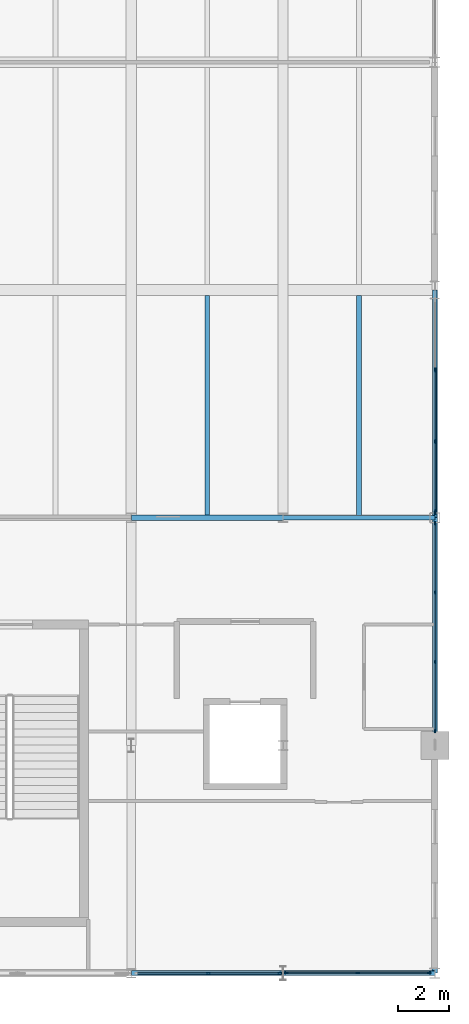
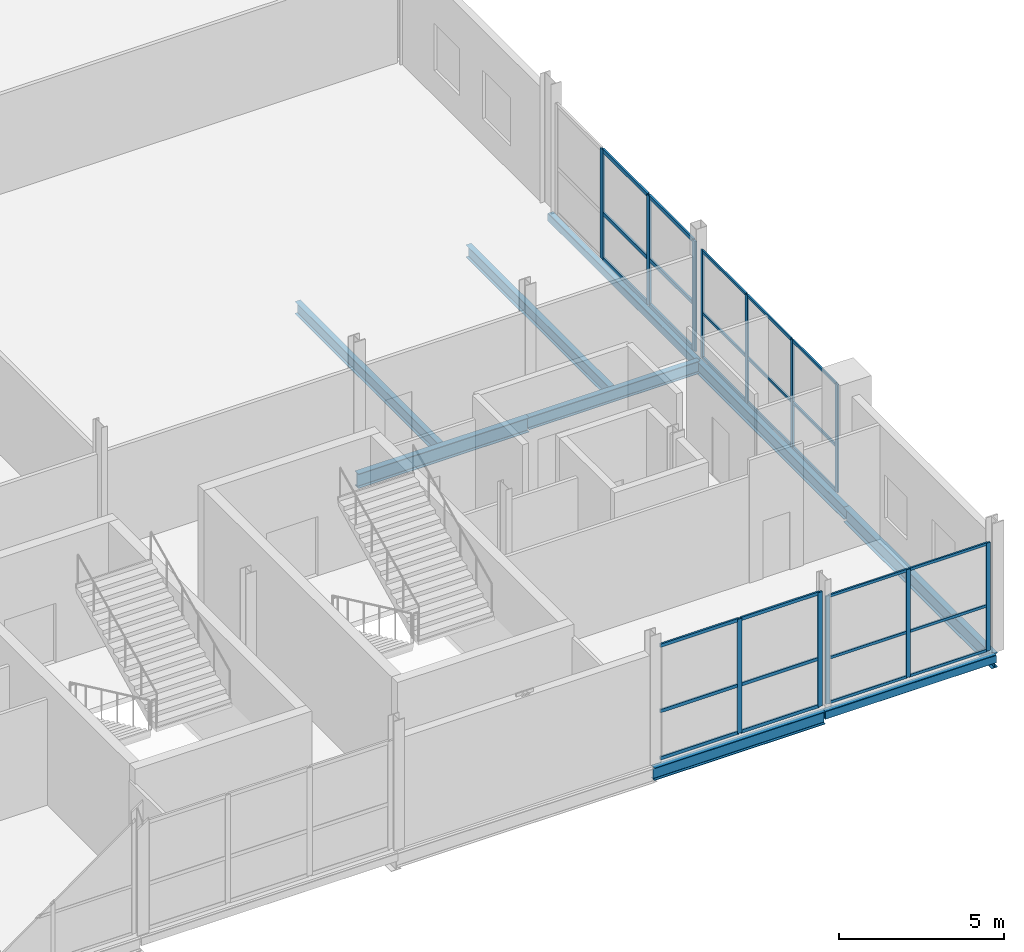
# One storey, part 15 of 50: 39 members, 9 beams, 4 elements without a shape of their own.
"""IFC4 building model written with IfcOpenShell, lengths in metres."""

from ifc_helpers import new_model, si_unit, direction, frame, origin, origin_2d, place, context, subcontext, project, spatial, rectangle, hollow_rectangle, i_section, extrude, material, layer, layer_set, material_profile, profile_set, type_object, element, aggregate, save


model = new_model("IFC4")

# Units and contexts
model_context = context("Model", 3, precision=1e-05, world=origin(), true_north=direction((0.0, 1.0)))
body_context = subcontext(model_context, "Body", "Model", "MODEL_VIEW")
ifc_project = project(units=[si_unit("LENGTHUNIT", "METRE"), si_unit("AREAUNIT", "SQUARE_METRE"), si_unit("VOLUMEUNIT", "CUBIC_METRE"), si_unit("PLANEANGLEUNIT", "RADIAN"), si_unit("MASSUNIT", "GRAM", prefix="KILO")], contexts=[model_context])

# Site, building, storey
site_placement = place(None, origin())
site = spatial("IfcSite", under=ifc_project, at=site_placement, CompositionType="ELEMENT")
building_placement = place(site_placement, origin())
building = spatial("IfcBuilding", under=site, at=building_placement, Name="Qamarlyn Nura Convention Centre", CompositionType="ELEMENT")
storey_placement = place(building_placement, frame((0.0, 0.0, 20.39990234375)))
storey = spatial("IfcBuildingStorey", under=building, at=storey_placement, Name="L04", CompositionType="ELEMENT", Elevation=20.39990234375)

# Beams
ifc_material_1 = material(Name="Steel ASTM A992", Category="steel")
ifc_material_profile_1 = material_profile(ifc_material_1, i_section(OverallWidth=0.18994140625, OverallDepth=0.45703125, WebThickness=0.009033203125, FlangeThickness=0.014404296875, FilletRadius=0.012939453125, at=origin_2d()), Name="W460X74")
ifc_profile_set_1 = profile_set([ifc_material_profile_1], Name="Steel ASTM A992")
beam_type_1 = type_object("IfcBeamType", Name="BM-JOIST-460", PredefinedType="JOIST", material=ifc_profile_set_1)
beam_1_placement = place(storey_placement, frame((183.0, 18.10546875, -0.428466796875), z_axis=(0.0, 1.0, 0.0), x_axis=(-1.0, 0.0, 0.0)))
element("IfcBeam", 1, at=beam_1_placement, inside=storey, type_object=beam_type_1, Name="L04 secondary joist 16-17/C-D-58", PredefinedType="JOIST", context=body_context, shape_type="SweptSolid", body=[
    extrude(i_section(OverallWidth=0.18994140625, OverallDepth=0.45703125, WebThickness=0.009033203125, FlangeThickness=0.014404296875, FilletRadius=0.012939453125, at=origin_2d()), origin(), (0.0, 0.0, 1.0), 8.685546875),
])
beam_2_placement = place(storey_placement, frame((189.0, 18.096435546875, -0.428466796875), z_axis=(0.0, 1.0, 0.0), x_axis=(-1.0, 0.0, 0.0)))
element("IfcBeam", 2, at=beam_2_placement, inside=storey, type_object=beam_type_1, Name="L04 secondary joist 17-18/C-D-65", PredefinedType="JOIST", context=body_context, shape_type="SweptSolid", body=[
    extrude(i_section(OverallWidth=0.18994140625, OverallDepth=0.45703125, WebThickness=0.009033203125, FlangeThickness=0.014404296875, FilletRadius=0.012939453125, at=origin_2d()), origin(), (0.0, 0.0, 1.0), 8.694580078125),
])
ifc_material_profile_2 = material_profile(ifc_material_1, i_section(OverallWidth=0.193115234375, OverallDepth=0.466064453125, WebThickness=0.011474609375, FlangeThickness=0.01904296875, FilletRadius=0.012939453125, at=origin_2d()), Name="W460X97")
ifc_profile_set_2 = profile_set([ifc_material_profile_2], Name="Steel ASTM A992")
beam_type_2 = type_object("IfcBeamType", Name="BM-SPAN-460", PredefinedType="SPANDREL", material=ifc_profile_set_2)
for number, where, z_axis, x_axis, name in (
    (3, (180.0, 0.0, -0.432861328125), (1.0, 0.0, 0.0), (0.0, 1.0, 0.0), "L04 girder A 16-17"),
    (4, (186.0, 18.0, -0.432861328125), (1.0, 0.0, 0.0), (0.0, 1.0, 0.0), "L04 girder C 17-18"),
):
    element("IfcBeam", number, at=place(storey_placement, frame(where, z_axis=z_axis, x_axis=x_axis)), inside=storey, type_object=beam_type_2, Name=name, PredefinedType="SPANDREL", context=body_context, shape_type="SweptSolid", body=[
        extrude(i_section(OverallWidth=0.193115234375, OverallDepth=0.466064453125, WebThickness=0.011474609375, FlangeThickness=0.01904296875, FilletRadius=0.012939453125, at=origin_2d()), origin(), (0.0, 0.0, 1.0), 6.0),
    ])
beam_3_placement = place(storey_placement, frame((192.0, 9.0, -0.432861328125), z_axis=(0.0, 1.0, 0.0), x_axis=(-1.0, 0.0, 0.0)))
element("IfcBeam", 5, at=beam_3_placement, inside=storey, type_object=beam_type_2, Name="L04 girder 18 B-C", PredefinedType="SPANDREL", context=body_context, shape_type="SweptSolid", body=[
    extrude(i_section(OverallWidth=0.193115234375, OverallDepth=0.466064453125, WebThickness=0.011474609375, FlangeThickness=0.01904296875, FilletRadius=0.012939453125, at=origin_2d()), origin(), (0.0, 0.0, 1.0), 9.0),
])
ifc_material_profile_3 = material_profile(ifc_material_1, i_section(OverallWidth=0.2109375, OverallDepth=0.5390625, WebThickness=0.01171875, FlangeThickness=0.018798828125, FilletRadius=0.013916015625, at=origin_2d()), Name="W530X109")
ifc_profile_set_3 = profile_set([ifc_material_profile_3], Name="Steel ASTM A992")
beam_type_3 = type_object("IfcBeamType", Name="BM-SPAN-530", PredefinedType="SPANDREL", material=ifc_profile_set_3)
beam_4_placement = place(storey_placement, frame((180.0, 18.0, -0.469482421875), z_axis=(1.0, 0.0, 0.0), x_axis=(0.0, 1.0, 0.0)))
element("IfcBeam", 6, at=beam_4_placement, inside=storey, type_object=beam_type_3, Name="L04 girder C 16-17", PredefinedType="SPANDREL", context=body_context, shape_type="SweptSolid", body=[
    extrude(i_section(OverallWidth=0.2109375, OverallDepth=0.5390625, WebThickness=0.01171875, FlangeThickness=0.018798828125, FilletRadius=0.013916015625, at=origin_2d()), origin(), (0.0, 0.0, 1.0), 6.0),
])
beam_5_placement = place(storey_placement, frame((192.0, 0.0, -0.469482421875), z_axis=(0.0, 1.0, 0.0), x_axis=(-1.0, 0.0, 0.0)))
element("IfcBeam", 7, at=beam_5_placement, inside=storey, type_object=beam_type_3, Name="L04 girder 18 A-B", PredefinedType="SPANDREL", context=body_context, shape_type="SweptSolid", body=[
    extrude(i_section(OverallWidth=0.2109375, OverallDepth=0.5390625, WebThickness=0.01171875, FlangeThickness=0.018798828125, FilletRadius=0.013916015625, at=origin_2d()), origin(), (0.0, 0.0, 1.0), 9.0),
])
ifc_material_2 = material(Name="Steel ASTM A500 Grade C", Category="steel")
ifc_material_profile_4 = material_profile(ifc_material_2, hollow_rectangle(XDim=0.199951171875, YDim=0.300048828125, WallThickness=0.012451171875, InnerFilletRadius=0.012451171875, OuterFilletRadius=0.02490234375, at=origin_2d()), Name="HSS300X200X12.5")
ifc_profile_set_4 = profile_set([ifc_material_profile_4], Name="Steel ASTM A500 Grade C")
beam_type_4 = type_object("IfcBeamType", Name="BM-SPAN-HSS", PredefinedType="SPANDREL", material=ifc_profile_set_4)
beam_6_placement = place(storey_placement, frame((186.0, 0.0, -0.349853515625), z_axis=(1.0, 0.0, 0.0), x_axis=(0.0, 1.0, 0.0)))
element("IfcBeam", 8, at=beam_6_placement, inside=storey, type_object=beam_type_4, Name="L04 girder A 17-18", PredefinedType="SPANDREL", context=body_context, shape_type="SweptSolid", body=[
    extrude(hollow_rectangle(XDim=0.199951171875, YDim=0.300048828125, WallThickness=0.012451171875, InnerFilletRadius=0.012451171875, OuterFilletRadius=0.02490234375, at=origin_2d()), origin(), (0.0, 0.0, 1.0), 6.0),
])
beam_7_placement = place(storey_placement, frame((192.0, 18.0, -0.349853515625), z_axis=(0.0, 1.0, 0.0), x_axis=(-1.0, 0.0, 0.0)))
element("IfcBeam", 9, at=beam_7_placement, inside=storey, type_object=beam_type_4, Name="L04 girder 18 C-D", PredefinedType="SPANDREL", context=body_context, shape_type="SweptSolid", body=[
    extrude(hollow_rectangle(XDim=0.199951171875, YDim=0.300048828125, WallThickness=0.012451171875, InnerFilletRadius=0.012451171875, OuterFilletRadius=0.02490234375, at=origin_2d()), origin(), (0.0, 0.0, 1.0), 9.0),
])

# Curtain wall, members
ifc_material_3 = material(Name="Double-silver low-E insulated glass", Category="glass")
ifc_layer_1 = layer(ifc_material_3, 0.179931640625, Name="CW-UNIT-134")
ifc_layer_set_1 = layer_set([ifc_layer_1], Name="Double-silver low-E insulated glass")
curtain_wall_type_1 = type_object("IfcCurtainWallType", Name="CW-UNIT-134", PredefinedType="NOTDEFINED", material=ifc_layer_set_1)
curtain_wall_1_placement = place(storey_placement, origin())
curtain_wall_1 = element("IfcCurtainWall", 10, at=curtain_wall_1_placement, inside=storey, type_object=curtain_wall_type_1, Name="L04 unitised curtain wall EAST-2-1", PredefinedType="NOTDEFINED")
ifc_material_4 = material(Name="Champagne-anodised marine aluminium", Category="aluminium")
ifc_material_profile_5 = material_profile(ifc_material_4, rectangle(XDim=0.06005859375, YDim=0.139892578125, at=origin_2d()), Name="ALU MULLION 60x140")
ifc_profile_set_5 = profile_set([ifc_material_profile_5], Name="Champagne-anodised marine aluminium")
member_type_1 = type_object("IfcMemberType", Name="CWM-140", PredefinedType="MULLION", material=ifc_profile_set_5)
member_1_placement = place(storey_placement, frame((192.0, 17.77001953125, 0.0), z_axis=(0.0, 0.0, 1.0), x_axis=(1.0, 0.0, 0.0)))
member_1 = element("IfcMember", 11, at=member_1_placement, type_object=member_type_1, Name="CW134 mullion 1", PredefinedType="MULLION", context=body_context, shape_type="SweptSolid", body=[
    extrude(rectangle(XDim=0.06005859375, YDim=0.139892578125, at=origin_2d()), origin(), (0.0, 0.0, 1.0), 4.006103515625),
])
member_2_placement = place(storey_placement, frame((192.0, 15.050048828125, 0.0), z_axis=(0.0, 0.0, 1.0), x_axis=(1.0, 0.0, 0.0)))
member_2 = element("IfcMember", 12, at=member_2_placement, type_object=member_type_1, Name="CW134 mullion 2", PredefinedType="MULLION", context=body_context, shape_type="SweptSolid", body=[
    extrude(rectangle(XDim=0.06005859375, YDim=0.139892578125, at=origin_2d()), origin(), (0.0, 0.0, 1.0), 4.006103515625),
])
member_3_placement = place(storey_placement, frame((192.0, 12.300048828125, 0.0), z_axis=(0.0, 0.0, 1.0), x_axis=(1.0, 0.0, 0.0)))
member_3 = element("IfcMember", 13, at=member_3_placement, type_object=member_type_1, Name="CW134 mullion 3", PredefinedType="MULLION", context=body_context, shape_type="SweptSolid", body=[
    extrude(rectangle(XDim=0.06005859375, YDim=0.139892578125, at=origin_2d()), origin(), (0.0, 0.0, 1.0), 4.006103515625),
])
member_4_placement = place(storey_placement, frame((192.0, 9.580078125, 0.0), z_axis=(0.0, 0.0, 1.0), x_axis=(1.0, 0.0, 0.0)))
member_4 = element("IfcMember", 14, at=member_4_placement, type_object=member_type_1, Name="CW134 mullion 4", PredefinedType="MULLION", context=body_context, shape_type="SweptSolid", body=[
    extrude(rectangle(XDim=0.06005859375, YDim=0.139892578125, at=origin_2d()), origin(), (0.0, 0.0, 1.0), 4.006103515625),
])

ifc_layer_2 = layer(ifc_material_3, 0.179931640625, Name="CW-UNIT-144")
ifc_layer_set_2 = layer_set([ifc_layer_2], Name="Double-silver low-E insulated glass")
curtain_wall_type_2 = type_object("IfcCurtainWallType", Name="CW-UNIT-144", PredefinedType="NOTDEFINED", material=ifc_layer_set_2)
curtain_wall_2_placement = place(storey_placement, origin())
curtain_wall_2 = element("IfcCurtainWall", 15, at=curtain_wall_2_placement, inside=storey, type_object=curtain_wall_type_2, Name="L04 unitised curtain wall STH-5-1", PredefinedType="NOTDEFINED")
member_5_placement = place(storey_placement, frame((191.765380859375, 0.0, 0.0), z_axis=(0.0, 0.0, 1.0), x_axis=(0.0, -1.0, 0.0)))
member_5 = element("IfcMember", 16, at=member_5_placement, type_object=member_type_1, Name="CW144 mullion 1", PredefinedType="MULLION", context=body_context, shape_type="SweptSolid", body=[
    extrude(rectangle(XDim=0.06005859375, YDim=0.139892578125, at=origin_2d()), origin(), (0.0, 0.0, 1.0), 4.006103515625),
])
member_6_placement = place(storey_placement, frame((188.950439453125, 0.0, 0.0), z_axis=(0.0, 0.0, 1.0), x_axis=(0.0, -1.0, 0.0)))
member_6 = element("IfcMember", 17, at=member_6_placement, type_object=member_type_1, Name="CW144 mullion 2", PredefinedType="MULLION", context=body_context, shape_type="SweptSolid", body=[
    extrude(rectangle(XDim=0.06005859375, YDim=0.139892578125, at=origin_2d()), origin(), (0.0, 0.0, 1.0), 4.006103515625),
])
member_7_placement = place(storey_placement, frame((186.135498046875, 0.0, 0.0), z_axis=(0.0, 0.0, 1.0), x_axis=(0.0, -1.0, 0.0)))
member_7 = element("IfcMember", 18, at=member_7_placement, type_object=member_type_1, Name="CW144 mullion 3", PredefinedType="MULLION", context=body_context, shape_type="SweptSolid", body=[
    extrude(rectangle(XDim=0.06005859375, YDim=0.139892578125, at=origin_2d()), origin(), (0.0, 0.0, 1.0), 4.006103515625),
])

ifc_layer_3 = layer(ifc_material_3, 0.179931640625, Name="CW-UNIT-143")
ifc_layer_set_3 = layer_set([ifc_layer_3], Name="Double-silver low-E insulated glass")
curtain_wall_type_3 = type_object("IfcCurtainWallType", Name="CW-UNIT-143", PredefinedType="NOTDEFINED", material=ifc_layer_set_3)
curtain_wall_3_placement = place(storey_placement, origin())
curtain_wall_3 = element("IfcCurtainWall", 19, at=curtain_wall_3_placement, inside=storey, type_object=curtain_wall_type_3, Name="L04 unitised curtain wall STH-4-1", PredefinedType="NOTDEFINED")
ifc_material_profile_6 = material_profile(ifc_material_4, rectangle(XDim=0.06494140625, YDim=0.159912109375, at=origin_2d()), Name="ALU MULLION 65x160")
ifc_profile_set_6 = profile_set([ifc_material_profile_6], Name="Champagne-anodised marine aluminium")
member_type_2 = type_object("IfcMemberType", Name="CWM-160", PredefinedType="MULLION", material=ifc_profile_set_6)
member_8_placement = place(storey_placement, frame((185.862060546875, 0.0, 0.0), z_axis=(0.0, 0.0, 1.0), x_axis=(0.0, -1.0, 0.0)))
member_8 = element("IfcMember", 20, at=member_8_placement, type_object=member_type_2, Name="CW143 mullion 1", PredefinedType="MULLION", context=body_context, shape_type="SweptSolid", body=[
    extrude(rectangle(XDim=0.06494140625, YDim=0.159912109375, at=origin_2d()), origin(), (0.0, 0.0, 1.0), 4.2451171875),
])
member_9_placement = place(storey_placement, frame((183.03955078125, 0.0, 0.0), z_axis=(0.0, 0.0, 1.0), x_axis=(0.0, -1.0, 0.0)))
member_9 = element("IfcMember", 21, at=member_9_placement, type_object=member_type_2, Name="CW143 mullion 2", PredefinedType="MULLION", context=body_context, shape_type="SweptSolid", body=[
    extrude(rectangle(XDim=0.06494140625, YDim=0.159912109375, at=origin_2d()), origin(), (0.0, 0.0, 1.0), 4.2451171875),
])

ifc_layer_4 = layer(ifc_material_3, 0.179931640625, Name="CW-UNIT-135")
ifc_layer_set_4 = layer_set([ifc_layer_4], Name="Double-silver low-E insulated glass")
curtain_wall_type_4 = type_object("IfcCurtainWallType", Name="CW-UNIT-135", PredefinedType="NOTDEFINED", material=ifc_layer_set_4)
curtain_wall_4_placement = place(storey_placement, origin())
curtain_wall_4 = element("IfcCurtainWall", 22, at=curtain_wall_4_placement, inside=storey, type_object=curtain_wall_type_4, Name="L04 unitised curtain wall EAST-3-1", PredefinedType="NOTDEFINED")
ifc_material_profile_7 = material_profile(ifc_material_4, rectangle(XDim=0.070068359375, YDim=0.179931640625, at=origin_2d()), Name="ALU MULLION 70x180")
ifc_profile_set_7 = profile_set([ifc_material_profile_7], Name="Champagne-anodised marine aluminium")
member_type_3 = type_object("IfcMemberType", Name="CWM-180", PredefinedType="MULLION", material=ifc_profile_set_7)
member_10_placement = place(storey_placement, frame((192.0, 23.8349609375, 0.0), z_axis=(0.0, 0.0, 1.0), x_axis=(1.0, 0.0, 0.0)))
member_10 = element("IfcMember", 23, at=member_10_placement, type_object=member_type_3, Name="CW135 mullion 2", PredefinedType="MULLION", context=body_context, shape_type="SweptSolid", body=[
    extrude(rectangle(XDim=0.070068359375, YDim=0.179931640625, at=origin_2d()), origin(), (0.0, 0.0, 1.0), 4.0791015625),
])
member_11_placement = place(storey_placement, frame((192.0, 21.017578125, 0.0), z_axis=(0.0, 0.0, 1.0), x_axis=(1.0, 0.0, 0.0)))
member_11 = element("IfcMember", 24, at=member_11_placement, type_object=member_type_3, Name="CW135 mullion 3", PredefinedType="MULLION", context=body_context, shape_type="SweptSolid", body=[
    extrude(rectangle(XDim=0.070068359375, YDim=0.179931640625, at=origin_2d()), origin(), (0.0, 0.0, 1.0), 4.0791015625),
])
member_12_placement = place(storey_placement, frame((192.0, 18.235107421875, 0.0), z_axis=(0.0, 0.0, 1.0), x_axis=(1.0, 0.0, 0.0)))
member_12 = element("IfcMember", 25, at=member_12_placement, type_object=member_type_3, Name="CW135 mullion 4", PredefinedType="MULLION", context=body_context, shape_type="SweptSolid", body=[
    extrude(rectangle(XDim=0.070068359375, YDim=0.179931640625, at=origin_2d()), origin(), (0.0, 0.0, 1.0), 4.0791015625),
])

# Member
ifc_material_profile_8 = material_profile(ifc_material_4, rectangle(XDim=0.06005859375, YDim=0.10009765625, at=origin_2d()), Name="ALU TRANSOM 60x100")
ifc_profile_set_8 = profile_set([ifc_material_profile_8], Name="Champagne-anodised marine aluminium")
member_type_4 = type_object("IfcMemberType", Name="CWT-100", PredefinedType="USERDEFINED", material=ifc_profile_set_8)
member_13_placement = place(storey_placement, frame((192.0, 17.739990234375, 0.030029296875), z_axis=(0.0, -1.0, 0.0), x_axis=(1.0, 0.0, 0.0)))
member_13 = element("IfcMember", 26, at=member_13_placement, type_object=member_type_4, Name="CW134 transom 1.1", ObjectType="TRANSOM", PredefinedType="USERDEFINED", context=body_context, shape_type="SweptSolid", body=[
    extrude(rectangle(XDim=0.06005859375, YDim=0.10009765625, at=origin_2d()), origin(), (0.0, 0.0, 1.0), 2.659912109375),
])

member_14_placement = place(storey_placement, frame((192.0, 17.739990234375, 1.68310546875), z_axis=(0.0, -1.0, 0.0), x_axis=(1.0, 0.0, 0.0)))
member_14 = element("IfcMember", 27, at=member_14_placement, type_object=member_type_4, Name="CW134 transom 1.2", ObjectType="TRANSOM", PredefinedType="USERDEFINED", context=body_context, shape_type="SweptSolid", body=[
    extrude(rectangle(XDim=0.06005859375, YDim=0.10009765625, at=origin_2d()), origin(), (0.0, 0.0, 1.0), 2.659912109375),
])

member_15_placement = place(storey_placement, frame((192.0, 17.739990234375, 3.97607421875), z_axis=(0.0, -1.0, 0.0), x_axis=(1.0, 0.0, 0.0)))
member_15 = element("IfcMember", 28, at=member_15_placement, type_object=member_type_4, Name="CW134 transom 1.3", ObjectType="TRANSOM", PredefinedType="USERDEFINED", context=body_context, shape_type="SweptSolid", body=[
    extrude(rectangle(XDim=0.06005859375, YDim=0.10009765625, at=origin_2d()), origin(), (0.0, 0.0, 1.0), 2.659912109375),
])

member_16_placement = place(storey_placement, frame((192.0, 15.02001953125, 0.030029296875), z_axis=(0.0, -1.0, 0.0), x_axis=(1.0, 0.0, 0.0)))
member_16 = element("IfcMember", 29, at=member_16_placement, type_object=member_type_4, Name="CW134 transom 2.1", ObjectType="TRANSOM", PredefinedType="USERDEFINED", context=body_context, shape_type="SweptSolid", body=[
    extrude(rectangle(XDim=0.06005859375, YDim=0.10009765625, at=origin_2d()), origin(), (0.0, 0.0, 1.0), 2.68994140625),
])

member_17_placement = place(storey_placement, frame((192.0, 15.02001953125, 1.68310546875), z_axis=(0.0, -1.0, 0.0), x_axis=(1.0, 0.0, 0.0)))
member_17 = element("IfcMember", 30, at=member_17_placement, type_object=member_type_4, Name="CW134 transom 2.2", ObjectType="TRANSOM", PredefinedType="USERDEFINED", context=body_context, shape_type="SweptSolid", body=[
    extrude(rectangle(XDim=0.06005859375, YDim=0.10009765625, at=origin_2d()), origin(), (0.0, 0.0, 1.0), 2.68994140625),
])

member_18_placement = place(storey_placement, frame((192.0, 15.02001953125, 3.97607421875), z_axis=(0.0, -1.0, 0.0), x_axis=(1.0, 0.0, 0.0)))
member_18 = element("IfcMember", 31, at=member_18_placement, type_object=member_type_4, Name="CW134 transom 2.3", ObjectType="TRANSOM", PredefinedType="USERDEFINED", context=body_context, shape_type="SweptSolid", body=[
    extrude(rectangle(XDim=0.06005859375, YDim=0.10009765625, at=origin_2d()), origin(), (0.0, 0.0, 1.0), 2.68994140625),
])

member_19_placement = place(storey_placement, frame((192.0, 12.27001953125, 0.030029296875), z_axis=(0.0, -1.0, 0.0), x_axis=(1.0, 0.0, 0.0)))
member_19 = element("IfcMember", 32, at=member_19_placement, type_object=member_type_4, Name="CW134 transom 3.1", ObjectType="TRANSOM", PredefinedType="USERDEFINED", context=body_context, shape_type="SweptSolid", body=[
    extrude(rectangle(XDim=0.06005859375, YDim=0.10009765625, at=origin_2d()), origin(), (0.0, 0.0, 1.0), 2.659912109375),
])

member_20_placement = place(storey_placement, frame((192.0, 12.27001953125, 1.68310546875), z_axis=(0.0, -1.0, 0.0), x_axis=(1.0, 0.0, 0.0)))
member_20 = element("IfcMember", 33, at=member_20_placement, type_object=member_type_4, Name="CW134 transom 3.2", ObjectType="TRANSOM", PredefinedType="USERDEFINED", context=body_context, shape_type="SweptSolid", body=[
    extrude(rectangle(XDim=0.06005859375, YDim=0.10009765625, at=origin_2d()), origin(), (0.0, 0.0, 1.0), 2.659912109375),
])

member_21_placement = place(storey_placement, frame((192.0, 12.27001953125, 3.97607421875), z_axis=(0.0, -1.0, 0.0), x_axis=(1.0, 0.0, 0.0)))
member_21 = element("IfcMember", 34, at=member_21_placement, type_object=member_type_4, Name="CW134 transom 3.3", ObjectType="TRANSOM", PredefinedType="USERDEFINED", context=body_context, shape_type="SweptSolid", body=[
    extrude(rectangle(XDim=0.06005859375, YDim=0.10009765625, at=origin_2d()), origin(), (0.0, 0.0, 1.0), 2.659912109375),
])

aggregate(curtain_wall_1, [member_1, member_2, member_3, member_4, member_13, member_14, member_15, member_16, member_17, member_18, member_19, member_20, member_21])

member_22_placement = place(storey_placement, frame((191.735595703125, 0.0, 0.030029296875), z_axis=(-1.0, 0.0, 0.0), x_axis=(0.0, -1.0, 0.0)))
member_22 = element("IfcMember", 35, at=member_22_placement, type_object=member_type_4, Name="CW144 transom 1.1", ObjectType="TRANSOM", PredefinedType="USERDEFINED", context=body_context, shape_type="SweptSolid", body=[
    extrude(rectangle(XDim=0.06005859375, YDim=0.10009765625, at=origin_2d()), origin(), (0.0, 0.0, 1.0), 2.755126953125),
])

member_23_placement = place(storey_placement, frame((191.735595703125, 0.0, 1.68310546875), z_axis=(-1.0, 0.0, 0.0), x_axis=(0.0, -1.0, 0.0)))
member_23 = element("IfcMember", 36, at=member_23_placement, type_object=member_type_4, Name="CW144 transom 1.2", ObjectType="TRANSOM", PredefinedType="USERDEFINED", context=body_context, shape_type="SweptSolid", body=[
    extrude(rectangle(XDim=0.06005859375, YDim=0.10009765625, at=origin_2d()), origin(), (0.0, 0.0, 1.0), 2.755126953125),
])

member_24_placement = place(storey_placement, frame((191.735595703125, 0.0, 3.97607421875), z_axis=(-1.0, 0.0, 0.0), x_axis=(0.0, -1.0, 0.0)))
member_24 = element("IfcMember", 37, at=member_24_placement, type_object=member_type_4, Name="CW144 transom 1.3", ObjectType="TRANSOM", PredefinedType="USERDEFINED", context=body_context, shape_type="SweptSolid", body=[
    extrude(rectangle(XDim=0.06005859375, YDim=0.10009765625, at=origin_2d()), origin(), (0.0, 0.0, 1.0), 2.755126953125),
])

member_25_placement = place(storey_placement, frame((188.92041015625, 0.0, 0.030029296875), z_axis=(-1.0, 0.0, 0.0), x_axis=(0.0, -1.0, 0.0)))
member_25 = element("IfcMember", 38, at=member_25_placement, type_object=member_type_4, Name="CW144 transom 2.1", ObjectType="TRANSOM", PredefinedType="USERDEFINED", context=body_context, shape_type="SweptSolid", body=[
    extrude(rectangle(XDim=0.06005859375, YDim=0.10009765625, at=origin_2d()), origin(), (0.0, 0.0, 1.0), 2.7548828125),
])

member_26_placement = place(storey_placement, frame((188.92041015625, 0.0, 1.68310546875), z_axis=(-1.0, 0.0, 0.0), x_axis=(0.0, -1.0, 0.0)))
member_26 = element("IfcMember", 39, at=member_26_placement, type_object=member_type_4, Name="CW144 transom 2.2", ObjectType="TRANSOM", PredefinedType="USERDEFINED", context=body_context, shape_type="SweptSolid", body=[
    extrude(rectangle(XDim=0.06005859375, YDim=0.10009765625, at=origin_2d()), origin(), (0.0, 0.0, 1.0), 2.7548828125),
])

member_27_placement = place(storey_placement, frame((188.92041015625, 0.0, 3.97607421875), z_axis=(-1.0, 0.0, 0.0), x_axis=(0.0, -1.0, 0.0)))
member_27 = element("IfcMember", 40, at=member_27_placement, type_object=member_type_4, Name="CW144 transom 2.3", ObjectType="TRANSOM", PredefinedType="USERDEFINED", context=body_context, shape_type="SweptSolid", body=[
    extrude(rectangle(XDim=0.06005859375, YDim=0.10009765625, at=origin_2d()), origin(), (0.0, 0.0, 1.0), 2.7548828125),
])

aggregate(curtain_wall_2, [member_5, member_6, member_7, member_22, member_23, member_24, member_25, member_26, member_27])

ifc_material_profile_9 = material_profile(ifc_material_4, rectangle(XDim=0.06494140625, YDim=0.1201171875, at=origin_2d()), Name="ALU TRANSOM 65x120")
ifc_profile_set_9 = profile_set([ifc_material_profile_9], Name="Champagne-anodised marine aluminium")
member_type_5 = type_object("IfcMemberType", Name="CWT-120", PredefinedType="USERDEFINED", material=ifc_profile_set_9)
member_28_placement = place(storey_placement, frame((185.82958984375, 0.0, 0.03271484375), z_axis=(-1.0, 0.0, 0.0), x_axis=(0.0, -1.0, 0.0)))
member_28 = element("IfcMember", 41, at=member_28_placement, type_object=member_type_5, Name="CW143 transom 1.1", ObjectType="TRANSOM", PredefinedType="USERDEFINED", context=body_context, shape_type="SweptSolid", body=[
    extrude(rectangle(XDim=0.06494140625, YDim=0.1201171875, at=origin_2d()), origin(), (0.0, 0.0, 1.0), 2.757568359375),
])

member_29_placement = place(storey_placement, frame((185.82958984375, 0.0, 1.783203125), z_axis=(-1.0, 0.0, 0.0), x_axis=(0.0, -1.0, 0.0)))
member_29 = element("IfcMember", 42, at=member_29_placement, type_object=member_type_5, Name="CW143 transom 1.2", ObjectType="TRANSOM", PredefinedType="USERDEFINED", context=body_context, shape_type="SweptSolid", body=[
    extrude(rectangle(XDim=0.06494140625, YDim=0.1201171875, at=origin_2d()), origin(), (0.0, 0.0, 1.0), 2.757568359375),
])

member_30_placement = place(storey_placement, frame((185.82958984375, 0.0, 4.212646484375), z_axis=(-1.0, 0.0, 0.0), x_axis=(0.0, -1.0, 0.0)))
member_30 = element("IfcMember", 43, at=member_30_placement, type_object=member_type_5, Name="CW143 transom 1.3", ObjectType="TRANSOM", PredefinedType="USERDEFINED", context=body_context, shape_type="SweptSolid", body=[
    extrude(rectangle(XDim=0.06494140625, YDim=0.1201171875, at=origin_2d()), origin(), (0.0, 0.0, 1.0), 2.757568359375),
])

member_31_placement = place(storey_placement, frame((183.007080078125, 0.0, 0.03271484375), z_axis=(-1.0, 0.0, 0.0), x_axis=(0.0, -1.0, 0.0)))
member_31 = element("IfcMember", 44, at=member_31_placement, type_object=member_type_5, Name="CW143 transom 2.1", ObjectType="TRANSOM", PredefinedType="USERDEFINED", context=body_context, shape_type="SweptSolid", body=[
    extrude(rectangle(XDim=0.06494140625, YDim=0.1201171875, at=origin_2d()), origin(), (0.0, 0.0, 1.0), 2.757568359375),
])

member_32_placement = place(storey_placement, frame((183.007080078125, 0.0, 1.783203125), z_axis=(-1.0, 0.0, 0.0), x_axis=(0.0, -1.0, 0.0)))
member_32 = element("IfcMember", 45, at=member_32_placement, type_object=member_type_5, Name="CW143 transom 2.2", ObjectType="TRANSOM", PredefinedType="USERDEFINED", context=body_context, shape_type="SweptSolid", body=[
    extrude(rectangle(XDim=0.06494140625, YDim=0.1201171875, at=origin_2d()), origin(), (0.0, 0.0, 1.0), 2.757568359375),
])

member_33_placement = place(storey_placement, frame((183.007080078125, 0.0, 4.212646484375), z_axis=(-1.0, 0.0, 0.0), x_axis=(0.0, -1.0, 0.0)))
member_33 = element("IfcMember", 46, at=member_33_placement, type_object=member_type_5, Name="CW143 transom 2.3", ObjectType="TRANSOM", PredefinedType="USERDEFINED", context=body_context, shape_type="SweptSolid", body=[
    extrude(rectangle(XDim=0.06494140625, YDim=0.1201171875, at=origin_2d()), origin(), (0.0, 0.0, 1.0), 2.757568359375),
])

aggregate(curtain_wall_3, [member_8, member_9, member_28, member_29, member_30, member_31, member_32, member_33])

ifc_material_profile_10 = material_profile(ifc_material_4, rectangle(XDim=0.070068359375, YDim=0.139892578125, at=origin_2d()), Name="ALU TRANSOM 70x140")
ifc_profile_set_10 = profile_set([ifc_material_profile_10], Name="Champagne-anodised marine aluminium")
member_type_6 = type_object("IfcMemberType", Name="CWT-140", PredefinedType="USERDEFINED", material=ifc_profile_set_10)
member_34_placement = place(storey_placement, frame((192.0, 23.800048828125, 0.03515625), z_axis=(0.0, -1.0, 0.0), x_axis=(1.0, 0.0, 0.0)))
member_34 = element("IfcMember", 47, at=member_34_placement, type_object=member_type_6, Name="CW135 transom 2.1", ObjectType="TRANSOM", PredefinedType="USERDEFINED", context=body_context, shape_type="SweptSolid", body=[
    extrude(rectangle(XDim=0.070068359375, YDim=0.139892578125, at=origin_2d()), origin(), (0.0, 0.0, 1.0), 2.74755859375),
])

member_35_placement = place(storey_placement, frame((192.0, 23.800048828125, 1.713134765625), z_axis=(0.0, -1.0, 0.0), x_axis=(1.0, 0.0, 0.0)))
member_35 = element("IfcMember", 48, at=member_35_placement, type_object=member_type_6, Name="CW135 transom 2.2", ObjectType="TRANSOM", PredefinedType="USERDEFINED", context=body_context, shape_type="SweptSolid", body=[
    extrude(rectangle(XDim=0.070068359375, YDim=0.139892578125, at=origin_2d()), origin(), (0.0, 0.0, 1.0), 2.74755859375),
])

member_36_placement = place(storey_placement, frame((192.0, 23.800048828125, 4.044189453125), z_axis=(0.0, -1.0, 0.0), x_axis=(1.0, 0.0, 0.0)))
member_36 = element("IfcMember", 49, at=member_36_placement, type_object=member_type_6, Name="CW135 transom 2.3", ObjectType="TRANSOM", PredefinedType="USERDEFINED", context=body_context, shape_type="SweptSolid", body=[
    extrude(rectangle(XDim=0.070068359375, YDim=0.139892578125, at=origin_2d()), origin(), (0.0, 0.0, 1.0), 2.74755859375),
])

member_37_placement = place(storey_placement, frame((192.0, 20.982421875, 0.03515625), z_axis=(0.0, -1.0, 0.0), x_axis=(1.0, 0.0, 0.0)))
member_37 = element("IfcMember", 50, at=member_37_placement, type_object=member_type_6, Name="CW135 transom 3.1", ObjectType="TRANSOM", PredefinedType="USERDEFINED", context=body_context, shape_type="SweptSolid", body=[
    extrude(rectangle(XDim=0.070068359375, YDim=0.139892578125, at=origin_2d()), origin(), (0.0, 0.0, 1.0), 2.71240234375),
])

member_38_placement = place(storey_placement, frame((192.0, 20.982421875, 1.713134765625), z_axis=(0.0, -1.0, 0.0), x_axis=(1.0, 0.0, 0.0)))
member_38 = element("IfcMember", 51, at=member_38_placement, type_object=member_type_6, Name="CW135 transom 3.2", ObjectType="TRANSOM", PredefinedType="USERDEFINED", context=body_context, shape_type="SweptSolid", body=[
    extrude(rectangle(XDim=0.070068359375, YDim=0.139892578125, at=origin_2d()), origin(), (0.0, 0.0, 1.0), 2.71240234375),
])

member_39_placement = place(storey_placement, frame((192.0, 20.982421875, 4.044189453125), z_axis=(0.0, -1.0, 0.0), x_axis=(1.0, 0.0, 0.0)))
member_39 = element("IfcMember", 52, at=member_39_placement, type_object=member_type_6, Name="CW135 transom 3.3", ObjectType="TRANSOM", PredefinedType="USERDEFINED", context=body_context, shape_type="SweptSolid", body=[
    extrude(rectangle(XDim=0.070068359375, YDim=0.139892578125, at=origin_2d()), origin(), (0.0, 0.0, 1.0), 2.71240234375),
])

aggregate(curtain_wall_4, [member_10, member_11, member_12, member_34, member_35, member_36, member_37, member_38, member_39])

save(model, "model.ifc")
